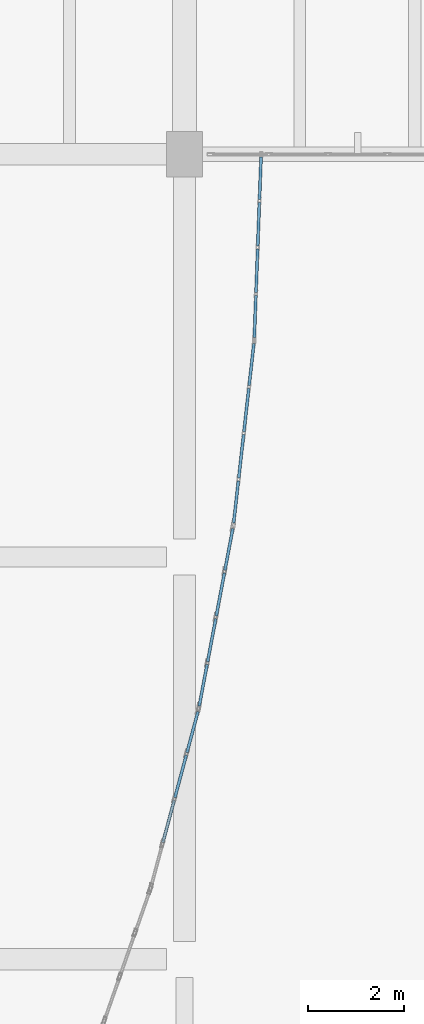
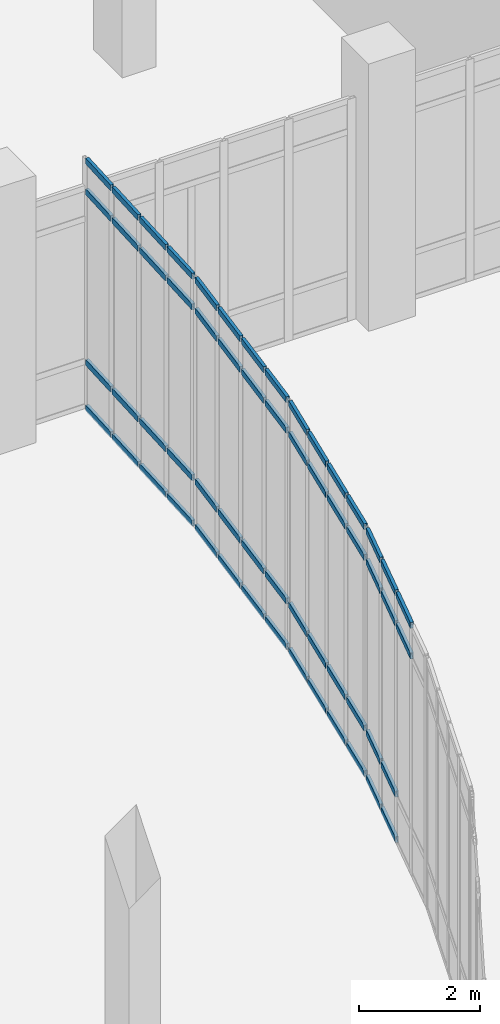
# One storey, part 72 of 110: 58 members, 4 elements without a shape of their own.
"""IFC4 building model written with IfcOpenShell, lengths in metres."""

from ifc_helpers import new_model, si_unit, direction, frame, origin, origin_2d, place, context, subcontext, project, spatial, hollow_rectangle, extrude, material, material_profile, profile_set, type_object, element, aggregate, save


model = new_model("IFC4")

# Units and contexts
model_context = context("Model", 3, precision=1e-05, world=origin(), true_north=direction((0.0, 1.0)))
body_context = subcontext(model_context, "Body", "Model", "MODEL_VIEW")
ifc_project = project(units=[si_unit("LENGTHUNIT", "METRE"), si_unit("AREAUNIT", "SQUARE_METRE"), si_unit("VOLUMEUNIT", "CUBIC_METRE"), si_unit("PLANEANGLEUNIT", "RADIAN"), si_unit("MASSUNIT", "GRAM", prefix="KILO")], contexts=[model_context])

# Site, building, storey
site_placement = place(None, origin())
site = spatial("IfcSite", under=ifc_project, at=site_placement, CompositionType="ELEMENT")
building_placement = place(site_placement, origin())
building = spatial("IfcBuilding", under=site, at=building_placement, Name="Kalluvel Institute of Natural Sciences", CompositionType="ELEMENT")
storey_placement = place(building_placement, origin())
storey = spatial("IfcBuildingStorey", under=building, at=storey_placement, Name="L00", CompositionType="ELEMENT", Elevation=0.0)

# Curtain wall, members
ifc_material = material(Name="Aluminium AW-6063 T6", Category="aluminium")
curtain_wall_type = type_object("IfcCurtainWallType", Name="CW-ATR-L00", PredefinedType="USERDEFINED", material=ifc_material)
curtain_wall_1_placement = place(storey_placement, origin())
curtain_wall_1 = element("IfcCurtainWall", 1, at=curtain_wall_1_placement, inside=storey, type_object=curtain_wall_type, Name="L00 Gothic lancet curtain wall CWA-L00-X853-Y875", ObjectType="UNITISED LANCET FACADE", PredefinedType="USERDEFINED")
ifc_material_profile = material_profile(ifc_material, hollow_rectangle(XDim=0.06005859375, YDim=0.1201171875, WallThickness=0.00390625, at=origin_2d()), Name="CWT 60x120")
ifc_profile_set = profile_set([ifc_material_profile], Name="Aluminium AW-6063 T6")
member_type = type_object("IfcMemberType", Name="CWT-60x120", PredefinedType="USERDEFINED", material=ifc_profile_set)
member_1_placement = place(storey_placement, frame((85.549072265625, 88.440673828125, 4.39990234375), z_axis=(0.259061584805, 0.965860805333, 0.0), x_axis=(-0.965860805333, 0.259061584805, 0.0)))
member_1 = element("IfcMember", 2, at=member_1_placement, type_object=member_type, Name="CW-06 transom 2.3", ObjectType="TRANSOM", PredefinedType="USERDEFINED", context=body_context, shape_type="SweptSolid", body=[
    extrude(hollow_rectangle(XDim=0.06005859375, YDim=0.1201171875, WallThickness=0.00390625, at=origin_2d()), origin(), (0.0, 0.0, 1.0), 0.912353515625),
])
member_2_placement = place(storey_placement, frame((85.549072265625, 88.440673828125, 5.02001953125), z_axis=(0.259061584805, 0.965860805333, 0.0), x_axis=(-0.965860805333, 0.259061584805, 0.0)))
member_2 = element("IfcMember", 3, at=member_2_placement, type_object=member_type, Name="CW-06 transom 2.4", ObjectType="TRANSOM", PredefinedType="USERDEFINED", context=body_context, shape_type="SweptSolid", body=[
    extrude(hollow_rectangle(XDim=0.06005859375, YDim=0.1201171875, WallThickness=0.00390625, at=origin_2d()), origin(), (0.0, 0.0, 1.0), 0.912353515625),
])
member_3_placement = place(storey_placement, frame((85.80078125, 89.3798828125, 0.030029296875), z_axis=(0.258811894374, 0.965927742293, 0.0), x_axis=(-0.965927742293, 0.258811894374, 0.0)))
member_3 = element("IfcMember", 4, at=member_3_placement, type_object=member_type, Name="CW-06 transom 3.1", ObjectType="TRANSOM", PredefinedType="USERDEFINED", context=body_context, shape_type="SweptSolid", body=[
    extrude(hollow_rectangle(XDim=0.06005859375, YDim=0.1201171875, WallThickness=0.00390625, at=origin_2d()), origin(), (0.0, 0.0, 1.0), 0.912109375),
])
member_4_placement = place(storey_placement, frame((85.80078125, 89.3798828125, 0.949951171875), z_axis=(0.258811894374, 0.965927742293, 0.0), x_axis=(-0.965927742293, 0.258811894374, 0.0)))
member_4 = element("IfcMember", 5, at=member_4_placement, type_object=member_type, Name="CW-06 transom 3.2", ObjectType="TRANSOM", PredefinedType="USERDEFINED", context=body_context, shape_type="SweptSolid", body=[
    extrude(hollow_rectangle(XDim=0.06005859375, YDim=0.1201171875, WallThickness=0.00390625, at=origin_2d()), origin(), (0.0, 0.0, 1.0), 0.912109375),
])
member_5_placement = place(storey_placement, frame((85.80078125, 89.3798828125, 4.39990234375), z_axis=(0.258811894374, 0.965927742293, 0.0), x_axis=(-0.965927742293, 0.258811894374, 0.0)))
member_5 = element("IfcMember", 6, at=member_5_placement, type_object=member_type, Name="CW-06 transom 3.3", ObjectType="TRANSOM", PredefinedType="USERDEFINED", context=body_context, shape_type="SweptSolid", body=[
    extrude(hollow_rectangle(XDim=0.06005859375, YDim=0.1201171875, WallThickness=0.00390625, at=origin_2d()), origin(), (0.0, 0.0, 1.0), 0.912109375),
])
member_6_placement = place(storey_placement, frame((85.80078125, 89.3798828125, 5.02001953125), z_axis=(0.258811894374, 0.965927742293, 0.0), x_axis=(-0.965927742293, 0.258811894374, 0.0)))
member_6 = element("IfcMember", 7, at=member_6_placement, type_object=member_type, Name="CW-06 transom 3.4", ObjectType="TRANSOM", PredefinedType="USERDEFINED", context=body_context, shape_type="SweptSolid", body=[
    extrude(hollow_rectangle(XDim=0.06005859375, YDim=0.1201171875, WallThickness=0.00390625, at=origin_2d()), origin(), (0.0, 0.0, 1.0), 0.912109375),
])
member_7_placement = place(storey_placement, frame((86.052490234375, 90.31884765625, 0.030029296875), z_axis=(0.258782199939, 0.965935698168, 0.0), x_axis=(-0.965935698168, 0.258782199939, 0.0)))
member_7 = element("IfcMember", 8, at=member_7_placement, type_object=member_type, Name="CW-06 transom 4.1", ObjectType="TRANSOM", PredefinedType="USERDEFINED", context=body_context, shape_type="SweptSolid", body=[
    extrude(hollow_rectangle(XDim=0.06005859375, YDim=0.1201171875, WallThickness=0.00390625, at=origin_2d()), origin(), (0.0, 0.0, 1.0), 0.882080078125),
])
member_8_placement = place(storey_placement, frame((86.052490234375, 90.31884765625, 0.949951171875), z_axis=(0.258782199939, 0.965935698168, 0.0), x_axis=(-0.965935698168, 0.258782199939, 0.0)))
member_8 = element("IfcMember", 9, at=member_8_placement, type_object=member_type, Name="CW-06 transom 4.2", ObjectType="TRANSOM", PredefinedType="USERDEFINED", context=body_context, shape_type="SweptSolid", body=[
    extrude(hollow_rectangle(XDim=0.06005859375, YDim=0.1201171875, WallThickness=0.00390625, at=origin_2d()), origin(), (0.0, 0.0, 1.0), 0.882080078125),
])
member_9_placement = place(storey_placement, frame((86.052490234375, 90.31884765625, 4.39990234375), z_axis=(0.258782199939, 0.965935698168, 0.0), x_axis=(-0.965935698168, 0.258782199939, 0.0)))
member_9 = element("IfcMember", 10, at=member_9_placement, type_object=member_type, Name="CW-06 transom 4.3", ObjectType="TRANSOM", PredefinedType="USERDEFINED", context=body_context, shape_type="SweptSolid", body=[
    extrude(hollow_rectangle(XDim=0.06005859375, YDim=0.1201171875, WallThickness=0.00390625, at=origin_2d()), origin(), (0.0, 0.0, 1.0), 0.882080078125),
])
member_10_placement = place(storey_placement, frame((86.052490234375, 90.31884765625, 5.02001953125), z_axis=(0.258782199939, 0.965935698168, 0.0), x_axis=(-0.965935698168, 0.258782199939, 0.0)))
member_10 = element("IfcMember", 11, at=member_10_placement, type_object=member_type, Name="CW-06 transom 4.4", ObjectType="TRANSOM", PredefinedType="USERDEFINED", context=body_context, shape_type="SweptSolid", body=[
    extrude(hollow_rectangle(XDim=0.06005859375, YDim=0.1201171875, WallThickness=0.00390625, at=origin_2d()), origin(), (0.0, 0.0, 1.0), 0.882080078125),
])
aggregate(curtain_wall_1, [member_1, member_2, member_3, member_4, member_5, member_6, member_7, member_8, member_9, member_10])

curtain_wall_2_placement = place(storey_placement, origin())
curtain_wall_2 = element("IfcCurtainWall", 12, at=curtain_wall_2_placement, inside=storey, type_object=curtain_wall_type, Name="L00 Gothic lancet curtain wall CWA-L00-X863-Y912", ObjectType="UNITISED LANCET FACADE", PredefinedType="USERDEFINED")
member_11_placement = place(storey_placement, frame((86.307373046875, 91.287841796875, 0.030029296875), z_axis=(0.185992773912, 0.982551112183, 0.0), x_axis=(-0.982551112183, 0.185992773912, 0.0)))
member_11 = element("IfcMember", 13, at=member_11_placement, type_object=member_type, Name="CW-06 transom 1.1", ObjectType="TRANSOM", PredefinedType="USERDEFINED", context=body_context, shape_type="SweptSolid", body=[
    extrude(hollow_rectangle(XDim=0.06005859375, YDim=0.1201171875, WallThickness=0.00390625, at=origin_2d()), origin(), (0.0, 0.0, 1.0), 0.882080078125),
])
member_12_placement = place(storey_placement, frame((86.307373046875, 91.287841796875, 0.949951171875), z_axis=(0.185992773912, 0.982551112183, 0.0), x_axis=(-0.982551112183, 0.185992773912, 0.0)))
member_12 = element("IfcMember", 14, at=member_12_placement, type_object=member_type, Name="CW-06 transom 1.2", ObjectType="TRANSOM", PredefinedType="USERDEFINED", context=body_context, shape_type="SweptSolid", body=[
    extrude(hollow_rectangle(XDim=0.06005859375, YDim=0.1201171875, WallThickness=0.00390625, at=origin_2d()), origin(), (0.0, 0.0, 1.0), 0.882080078125),
])
member_13_placement = place(storey_placement, frame((86.307373046875, 91.287841796875, 4.39990234375), z_axis=(0.185992773912, 0.982551112183, 0.0), x_axis=(-0.982551112183, 0.185992773912, 0.0)))
member_13 = element("IfcMember", 15, at=member_13_placement, type_object=member_type, Name="CW-06 transom 1.3", ObjectType="TRANSOM", PredefinedType="USERDEFINED", context=body_context, shape_type="SweptSolid", body=[
    extrude(hollow_rectangle(XDim=0.06005859375, YDim=0.1201171875, WallThickness=0.00390625, at=origin_2d()), origin(), (0.0, 0.0, 1.0), 0.882080078125),
])
member_14_placement = place(storey_placement, frame((86.307373046875, 91.287841796875, 5.02001953125), z_axis=(0.185992773912, 0.982551112183, 0.0), x_axis=(-0.982551112183, 0.185992773912, 0.0)))
member_14 = element("IfcMember", 16, at=member_14_placement, type_object=member_type, Name="CW-06 transom 1.4", ObjectType="TRANSOM", PredefinedType="USERDEFINED", context=body_context, shape_type="SweptSolid", body=[
    extrude(hollow_rectangle(XDim=0.06005859375, YDim=0.1201171875, WallThickness=0.00390625, at=origin_2d()), origin(), (0.0, 0.0, 1.0), 0.882080078125),
])
member_15_placement = place(storey_placement, frame((86.482666015625, 92.213623046875, 0.030029296875), z_axis=(0.185758966872, 0.982595342054, 0.0), x_axis=(-0.982595342054, 0.185758966872, 0.0)))
member_15 = element("IfcMember", 17, at=member_15_placement, type_object=member_type, Name="CW-06 transom 2.1", ObjectType="TRANSOM", PredefinedType="USERDEFINED", context=body_context, shape_type="SweptSolid", body=[
    extrude(hollow_rectangle(XDim=0.06005859375, YDim=0.1201171875, WallThickness=0.00390625, at=origin_2d()), origin(), (0.0, 0.0, 1.0), 0.912109375),
])
member_16_placement = place(storey_placement, frame((86.482666015625, 92.213623046875, 0.949951171875), z_axis=(0.185758966872, 0.982595342054, 0.0), x_axis=(-0.982595342054, 0.185758966872, 0.0)))
member_16 = element("IfcMember", 18, at=member_16_placement, type_object=member_type, Name="CW-06 transom 2.2", ObjectType="TRANSOM", PredefinedType="USERDEFINED", context=body_context, shape_type="SweptSolid", body=[
    extrude(hollow_rectangle(XDim=0.06005859375, YDim=0.1201171875, WallThickness=0.00390625, at=origin_2d()), origin(), (0.0, 0.0, 1.0), 0.912109375),
])
member_17_placement = place(storey_placement, frame((86.482666015625, 92.213623046875, 4.39990234375), z_axis=(0.185758966872, 0.982595342054, 0.0), x_axis=(-0.982595342054, 0.185758966872, 0.0)))
member_17 = element("IfcMember", 19, at=member_17_placement, type_object=member_type, Name="CW-06 transom 2.3", ObjectType="TRANSOM", PredefinedType="USERDEFINED", context=body_context, shape_type="SweptSolid", body=[
    extrude(hollow_rectangle(XDim=0.06005859375, YDim=0.1201171875, WallThickness=0.00390625, at=origin_2d()), origin(), (0.0, 0.0, 1.0), 0.912109375),
])
member_18_placement = place(storey_placement, frame((86.482666015625, 92.213623046875, 5.02001953125), z_axis=(0.185758966872, 0.982595342054, 0.0), x_axis=(-0.982595342054, 0.185758966872, 0.0)))
member_18 = element("IfcMember", 20, at=member_18_placement, type_object=member_type, Name="CW-06 transom 2.4", ObjectType="TRANSOM", PredefinedType="USERDEFINED", context=body_context, shape_type="SweptSolid", body=[
    extrude(hollow_rectangle(XDim=0.06005859375, YDim=0.1201171875, WallThickness=0.00390625, at=origin_2d()), origin(), (0.0, 0.0, 1.0), 0.912109375),
])
member_19_placement = place(storey_placement, frame((86.663330078125, 93.1689453125, 0.030029296875), z_axis=(0.18601737568, 0.982546454853, 0.0), x_axis=(-0.982546454853, 0.18601737568, 0.0)))
member_19 = element("IfcMember", 21, at=member_19_placement, type_object=member_type, Name="CW-06 transom 3.1", ObjectType="TRANSOM", PredefinedType="USERDEFINED", context=body_context, shape_type="SweptSolid", body=[
    extrude(hollow_rectangle(XDim=0.06005859375, YDim=0.1201171875, WallThickness=0.00390625, at=origin_2d()), origin(), (0.0, 0.0, 1.0), 0.912109375),
])
member_20_placement = place(storey_placement, frame((86.663330078125, 93.1689453125, 0.949951171875), z_axis=(0.18601737568, 0.982546454853, 0.0), x_axis=(-0.982546454853, 0.18601737568, 0.0)))
member_20 = element("IfcMember", 22, at=member_20_placement, type_object=member_type, Name="CW-06 transom 3.2", ObjectType="TRANSOM", PredefinedType="USERDEFINED", context=body_context, shape_type="SweptSolid", body=[
    extrude(hollow_rectangle(XDim=0.06005859375, YDim=0.1201171875, WallThickness=0.00390625, at=origin_2d()), origin(), (0.0, 0.0, 1.0), 0.912109375),
])
member_21_placement = place(storey_placement, frame((86.663330078125, 93.1689453125, 4.39990234375), z_axis=(0.18601737568, 0.982546454853, 0.0), x_axis=(-0.982546454853, 0.18601737568, 0.0)))
member_21 = element("IfcMember", 23, at=member_21_placement, type_object=member_type, Name="CW-06 transom 3.3", ObjectType="TRANSOM", PredefinedType="USERDEFINED", context=body_context, shape_type="SweptSolid", body=[
    extrude(hollow_rectangle(XDim=0.06005859375, YDim=0.1201171875, WallThickness=0.00390625, at=origin_2d()), origin(), (0.0, 0.0, 1.0), 0.912109375),
])
member_22_placement = place(storey_placement, frame((86.663330078125, 93.1689453125, 5.02001953125), z_axis=(0.18601737568, 0.982546454853, 0.0), x_axis=(-0.982546454853, 0.18601737568, 0.0)))
member_22 = element("IfcMember", 24, at=member_22_placement, type_object=member_type, Name="CW-06 transom 3.4", ObjectType="TRANSOM", PredefinedType="USERDEFINED", context=body_context, shape_type="SweptSolid", body=[
    extrude(hollow_rectangle(XDim=0.06005859375, YDim=0.1201171875, WallThickness=0.00390625, at=origin_2d()), origin(), (0.0, 0.0, 1.0), 0.912109375),
])
member_23_placement = place(storey_placement, frame((86.843994140625, 94.1240234375, 0.030029296875), z_axis=(0.18594220751, 0.982560682842, 0.0), x_axis=(-0.982560682842, 0.18594220751, 0.0)))
member_23 = element("IfcMember", 25, at=member_23_placement, type_object=member_type, Name="CW-06 transom 4.1", ObjectType="TRANSOM", PredefinedType="USERDEFINED", context=body_context, shape_type="SweptSolid", body=[
    extrude(hollow_rectangle(XDim=0.06005859375, YDim=0.1201171875, WallThickness=0.00390625, at=origin_2d()), origin(), (0.0, 0.0, 1.0), 0.88232421875),
])
member_24_placement = place(storey_placement, frame((86.843994140625, 94.1240234375, 0.949951171875), z_axis=(0.18594220751, 0.982560682842, 0.0), x_axis=(-0.982560682842, 0.18594220751, 0.0)))
member_24 = element("IfcMember", 26, at=member_24_placement, type_object=member_type, Name="CW-06 transom 4.2", ObjectType="TRANSOM", PredefinedType="USERDEFINED", context=body_context, shape_type="SweptSolid", body=[
    extrude(hollow_rectangle(XDim=0.06005859375, YDim=0.1201171875, WallThickness=0.00390625, at=origin_2d()), origin(), (0.0, 0.0, 1.0), 0.88232421875),
])
member_25_placement = place(storey_placement, frame((86.843994140625, 94.1240234375, 4.39990234375), z_axis=(0.18594220751, 0.982560682842, 0.0), x_axis=(-0.982560682842, 0.18594220751, 0.0)))
member_25 = element("IfcMember", 27, at=member_25_placement, type_object=member_type, Name="CW-06 transom 4.3", ObjectType="TRANSOM", PredefinedType="USERDEFINED", context=body_context, shape_type="SweptSolid", body=[
    extrude(hollow_rectangle(XDim=0.06005859375, YDim=0.1201171875, WallThickness=0.00390625, at=origin_2d()), origin(), (0.0, 0.0, 1.0), 0.88232421875),
])
member_26_placement = place(storey_placement, frame((86.843994140625, 94.1240234375, 5.02001953125), z_axis=(0.18594220751, 0.982560682842, 0.0), x_axis=(-0.982560682842, 0.18594220751, 0.0)))
member_26 = element("IfcMember", 28, at=member_26_placement, type_object=member_type, Name="CW-06 transom 4.4", ObjectType="TRANSOM", PredefinedType="USERDEFINED", context=body_context, shape_type="SweptSolid", body=[
    extrude(hollow_rectangle(XDim=0.06005859375, YDim=0.1201171875, WallThickness=0.00390625, at=origin_2d()), origin(), (0.0, 0.0, 1.0), 0.88232421875),
])
aggregate(curtain_wall_2, [member_11, member_12, member_13, member_14, member_15, member_16, member_17, member_18, member_19, member_20, member_21, member_22, member_23, member_24, member_25, member_26])

curtain_wall_3_placement = place(storey_placement, origin())
curtain_wall_3 = element("IfcCurtainWall", 29, at=curtain_wall_3_placement, inside=storey, type_object=curtain_wall_type, Name="L00 Gothic lancet curtain wall CWA-L00-X870-Y950", ObjectType="UNITISED LANCET FACADE", PredefinedType="USERDEFINED")
member_27_placement = place(storey_placement, frame((87.02587890625, 95.109375, 0.030029296875), z_axis=(0.112071445657, 0.993700151489, 0.0), x_axis=(-0.993700151489, 0.112071445657, 0.0)))
member_27 = element("IfcMember", 30, at=member_27_placement, type_object=member_type, Name="CW-06 transom 1.1", ObjectType="TRANSOM", PredefinedType="USERDEFINED", context=body_context, shape_type="SweptSolid", body=[
    extrude(hollow_rectangle(XDim=0.06005859375, YDim=0.1201171875, WallThickness=0.00390625, at=origin_2d()), origin(), (0.0, 0.0, 1.0), 0.88232421875),
])
member_28_placement = place(storey_placement, frame((87.02587890625, 95.109375, 0.949951171875), z_axis=(0.112071445657, 0.993700151489, 0.0), x_axis=(-0.993700151489, 0.112071445657, 0.0)))
member_28 = element("IfcMember", 31, at=member_28_placement, type_object=member_type, Name="CW-06 transom 1.2", ObjectType="TRANSOM", PredefinedType="USERDEFINED", context=body_context, shape_type="SweptSolid", body=[
    extrude(hollow_rectangle(XDim=0.06005859375, YDim=0.1201171875, WallThickness=0.00390625, at=origin_2d()), origin(), (0.0, 0.0, 1.0), 0.88232421875),
])
member_29_placement = place(storey_placement, frame((87.02587890625, 95.109375, 4.39990234375), z_axis=(0.112071445657, 0.993700151489, 0.0), x_axis=(-0.993700151489, 0.112071445657, 0.0)))
member_29 = element("IfcMember", 32, at=member_29_placement, type_object=member_type, Name="CW-06 transom 1.3", ObjectType="TRANSOM", PredefinedType="USERDEFINED", context=body_context, shape_type="SweptSolid", body=[
    extrude(hollow_rectangle(XDim=0.06005859375, YDim=0.1201171875, WallThickness=0.00390625, at=origin_2d()), origin(), (0.0, 0.0, 1.0), 0.88232421875),
])
member_30_placement = place(storey_placement, frame((87.02587890625, 95.109375, 5.02001953125), z_axis=(0.112071445657, 0.993700151489, 0.0), x_axis=(-0.993700151489, 0.112071445657, 0.0)))
member_30 = element("IfcMember", 33, at=member_30_placement, type_object=member_type, Name="CW-06 transom 1.4", ObjectType="TRANSOM", PredefinedType="USERDEFINED", context=body_context, shape_type="SweptSolid", body=[
    extrude(hollow_rectangle(XDim=0.06005859375, YDim=0.1201171875, WallThickness=0.00390625, at=origin_2d()), origin(), (0.0, 0.0, 1.0), 0.88232421875),
])
member_31_placement = place(storey_placement, frame((87.13134765625, 96.045654296875, 0.030029296875), z_axis=(0.11213502774, 0.993692978517, 0.0), x_axis=(-0.993692978517, 0.11213502774, 0.0)))
member_31 = element("IfcMember", 34, at=member_31_placement, type_object=member_type, Name="CW-06 transom 2.1", ObjectType="TRANSOM", PredefinedType="USERDEFINED", context=body_context, shape_type="SweptSolid", body=[
    extrude(hollow_rectangle(XDim=0.06005859375, YDim=0.1201171875, WallThickness=0.00390625, at=origin_2d()), origin(), (0.0, 0.0, 1.0), 0.912353515625),
])
member_32_placement = place(storey_placement, frame((87.13134765625, 96.045654296875, 0.949951171875), z_axis=(0.11213502774, 0.993692978517, 0.0), x_axis=(-0.993692978517, 0.11213502774, 0.0)))
member_32 = element("IfcMember", 35, at=member_32_placement, type_object=member_type, Name="CW-06 transom 2.2", ObjectType="TRANSOM", PredefinedType="USERDEFINED", context=body_context, shape_type="SweptSolid", body=[
    extrude(hollow_rectangle(XDim=0.06005859375, YDim=0.1201171875, WallThickness=0.00390625, at=origin_2d()), origin(), (0.0, 0.0, 1.0), 0.912353515625),
])
member_33_placement = place(storey_placement, frame((87.13134765625, 96.045654296875, 4.39990234375), z_axis=(0.11213502774, 0.993692978517, 0.0), x_axis=(-0.993692978517, 0.11213502774, 0.0)))
member_33 = element("IfcMember", 36, at=member_33_placement, type_object=member_type, Name="CW-06 transom 2.3", ObjectType="TRANSOM", PredefinedType="USERDEFINED", context=body_context, shape_type="SweptSolid", body=[
    extrude(hollow_rectangle(XDim=0.06005859375, YDim=0.1201171875, WallThickness=0.00390625, at=origin_2d()), origin(), (0.0, 0.0, 1.0), 0.912353515625),
])
member_34_placement = place(storey_placement, frame((87.13134765625, 96.045654296875, 5.02001953125), z_axis=(0.11213502774, 0.993692978517, 0.0), x_axis=(-0.993692978517, 0.11213502774, 0.0)))
member_34 = element("IfcMember", 37, at=member_34_placement, type_object=member_type, Name="CW-06 transom 2.4", ObjectType="TRANSOM", PredefinedType="USERDEFINED", context=body_context, shape_type="SweptSolid", body=[
    extrude(hollow_rectangle(XDim=0.06005859375, YDim=0.1201171875, WallThickness=0.00390625, at=origin_2d()), origin(), (0.0, 0.0, 1.0), 0.912353515625),
])
member_35_placement = place(storey_placement, frame((87.240234375, 97.01171875, 0.030029296875), z_axis=(0.111870755681, 0.993722765173, 0.0), x_axis=(-0.993722765173, 0.111870755681, 0.0)))
member_35 = element("IfcMember", 38, at=member_35_placement, type_object=member_type, Name="CW-06 transom 3.1", ObjectType="TRANSOM", PredefinedType="USERDEFINED", context=body_context, shape_type="SweptSolid", body=[
    extrude(hollow_rectangle(XDim=0.06005859375, YDim=0.1201171875, WallThickness=0.00390625, at=origin_2d()), origin(), (0.0, 0.0, 1.0), 0.912109375),
])
member_36_placement = place(storey_placement, frame((87.240234375, 97.01171875, 0.949951171875), z_axis=(0.111870755681, 0.993722765173, 0.0), x_axis=(-0.993722765173, 0.111870755681, 0.0)))
member_36 = element("IfcMember", 39, at=member_36_placement, type_object=member_type, Name="CW-06 transom 3.2", ObjectType="TRANSOM", PredefinedType="USERDEFINED", context=body_context, shape_type="SweptSolid", body=[
    extrude(hollow_rectangle(XDim=0.06005859375, YDim=0.1201171875, WallThickness=0.00390625, at=origin_2d()), origin(), (0.0, 0.0, 1.0), 0.912109375),
])
member_37_placement = place(storey_placement, frame((87.240234375, 97.01171875, 4.39990234375), z_axis=(0.111870755681, 0.993722765173, 0.0), x_axis=(-0.993722765173, 0.111870755681, 0.0)))
member_37 = element("IfcMember", 40, at=member_37_placement, type_object=member_type, Name="CW-06 transom 3.3", ObjectType="TRANSOM", PredefinedType="USERDEFINED", context=body_context, shape_type="SweptSolid", body=[
    extrude(hollow_rectangle(XDim=0.06005859375, YDim=0.1201171875, WallThickness=0.00390625, at=origin_2d()), origin(), (0.0, 0.0, 1.0), 0.912109375),
])
member_38_placement = place(storey_placement, frame((87.240234375, 97.01171875, 5.02001953125), z_axis=(0.111870755681, 0.993722765173, 0.0), x_axis=(-0.993722765173, 0.111870755681, 0.0)))
member_38 = element("IfcMember", 41, at=member_38_placement, type_object=member_type, Name="CW-06 transom 3.4", ObjectType="TRANSOM", PredefinedType="USERDEFINED", context=body_context, shape_type="SweptSolid", body=[
    extrude(hollow_rectangle(XDim=0.06005859375, YDim=0.1201171875, WallThickness=0.00390625, at=origin_2d()), origin(), (0.0, 0.0, 1.0), 0.912109375),
])
member_39_placement = place(storey_placement, frame((87.34912109375, 97.977783203125, 0.030029296875), z_axis=(0.112071445657, 0.993700151489, 0.0), x_axis=(-0.993700151489, 0.112071445657, 0.0)))
member_39 = element("IfcMember", 42, at=member_39_placement, type_object=member_type, Name="CW-06 transom 4.1", ObjectType="TRANSOM", PredefinedType="USERDEFINED", context=body_context, shape_type="SweptSolid", body=[
    extrude(hollow_rectangle(XDim=0.06005859375, YDim=0.1201171875, WallThickness=0.00390625, at=origin_2d()), origin(), (0.0, 0.0, 1.0), 0.88232421875),
])
member_40_placement = place(storey_placement, frame((87.34912109375, 97.977783203125, 0.949951171875), z_axis=(0.112071445657, 0.993700151489, 0.0), x_axis=(-0.993700151489, 0.112071445657, 0.0)))
member_40 = element("IfcMember", 43, at=member_40_placement, type_object=member_type, Name="CW-06 transom 4.2", ObjectType="TRANSOM", PredefinedType="USERDEFINED", context=body_context, shape_type="SweptSolid", body=[
    extrude(hollow_rectangle(XDim=0.06005859375, YDim=0.1201171875, WallThickness=0.00390625, at=origin_2d()), origin(), (0.0, 0.0, 1.0), 0.88232421875),
])
member_41_placement = place(storey_placement, frame((87.34912109375, 97.977783203125, 4.39990234375), z_axis=(0.112071445657, 0.993700151489, 0.0), x_axis=(-0.993700151489, 0.112071445657, 0.0)))
member_41 = element("IfcMember", 44, at=member_41_placement, type_object=member_type, Name="CW-06 transom 4.3", ObjectType="TRANSOM", PredefinedType="USERDEFINED", context=body_context, shape_type="SweptSolid", body=[
    extrude(hollow_rectangle(XDim=0.06005859375, YDim=0.1201171875, WallThickness=0.00390625, at=origin_2d()), origin(), (0.0, 0.0, 1.0), 0.88232421875),
])
member_42_placement = place(storey_placement, frame((87.34912109375, 97.977783203125, 5.02001953125), z_axis=(0.112071445657, 0.993700151489, 0.0), x_axis=(-0.993700151489, 0.112071445657, 0.0)))
member_42 = element("IfcMember", 45, at=member_42_placement, type_object=member_type, Name="CW-06 transom 4.4", ObjectType="TRANSOM", PredefinedType="USERDEFINED", context=body_context, shape_type="SweptSolid", body=[
    extrude(hollow_rectangle(XDim=0.06005859375, YDim=0.1201171875, WallThickness=0.00390625, at=origin_2d()), origin(), (0.0, 0.0, 1.0), 0.88232421875),
])
aggregate(curtain_wall_3, [member_27, member_28, member_29, member_30, member_31, member_32, member_33, member_34, member_35, member_36, member_37, member_38, member_39, member_40, member_41, member_42])

curtain_wall_4_placement = place(storey_placement, origin())
curtain_wall_4 = element("IfcCurtainWall", 46, at=curtain_wall_4_placement, inside=storey, type_object=curtain_wall_type, Name="L00 Gothic lancet curtain wall CWA-L00-X875-Y989", ObjectType="UNITISED LANCET FACADE", PredefinedType="USERDEFINED")
member_43_placement = place(storey_placement, frame((87.456787109375, 98.973876953125, 0.030029296875), z_axis=(0.037359666114, 0.999301883991, 0.0), x_axis=(-0.999301883991, 0.037359666114, 0.0)))
member_43 = element("IfcMember", 47, at=member_43_placement, type_object=member_type, Name="CW-06 transom 1.1", ObjectType="TRANSOM", PredefinedType="USERDEFINED", context=body_context, shape_type="SweptSolid", body=[
    extrude(hollow_rectangle(XDim=0.06005859375, YDim=0.1201171875, WallThickness=0.00390625, at=origin_2d()), origin(), (0.0, 0.0, 1.0), 0.88232421875),
])
member_44_placement = place(storey_placement, frame((87.456787109375, 98.973876953125, 0.949951171875), z_axis=(0.037359666114, 0.999301883991, 0.0), x_axis=(-0.999301883991, 0.037359666114, 0.0)))
member_44 = element("IfcMember", 48, at=member_44_placement, type_object=member_type, Name="CW-06 transom 1.2", ObjectType="TRANSOM", PredefinedType="USERDEFINED", context=body_context, shape_type="SweptSolid", body=[
    extrude(hollow_rectangle(XDim=0.06005859375, YDim=0.1201171875, WallThickness=0.00390625, at=origin_2d()), origin(), (0.0, 0.0, 1.0), 0.88232421875),
])
member_45_placement = place(storey_placement, frame((87.456787109375, 98.973876953125, 4.39990234375), z_axis=(0.037359666114, 0.999301883991, 0.0), x_axis=(-0.999301883991, 0.037359666114, 0.0)))
member_45 = element("IfcMember", 49, at=member_45_placement, type_object=member_type, Name="CW-06 transom 1.3", ObjectType="TRANSOM", PredefinedType="USERDEFINED", context=body_context, shape_type="SweptSolid", body=[
    extrude(hollow_rectangle(XDim=0.06005859375, YDim=0.1201171875, WallThickness=0.00390625, at=origin_2d()), origin(), (0.0, 0.0, 1.0), 0.88232421875),
])
member_46_placement = place(storey_placement, frame((87.456787109375, 98.973876953125, 5.02001953125), z_axis=(0.037359666114, 0.999301883991, 0.0), x_axis=(-0.999301883991, 0.037359666114, 0.0)))
member_46 = element("IfcMember", 50, at=member_46_placement, type_object=member_type, Name="CW-06 transom 1.4", ObjectType="TRANSOM", PredefinedType="USERDEFINED", context=body_context, shape_type="SweptSolid", body=[
    extrude(hollow_rectangle(XDim=0.06005859375, YDim=0.1201171875, WallThickness=0.00390625, at=origin_2d()), origin(), (0.0, 0.0, 1.0), 0.88232421875),
])
member_47_placement = place(storey_placement, frame((87.4921875, 99.91552734375, 0.030029296875), z_axis=(0.037209681147, 0.999307480022, 0.0), x_axis=(-0.999307480022, 0.037209681147, 0.0)))
member_47 = element("IfcMember", 51, at=member_47_placement, type_object=member_type, Name="CW-06 transom 2.1", ObjectType="TRANSOM", PredefinedType="USERDEFINED", context=body_context, shape_type="SweptSolid", body=[
    extrude(hollow_rectangle(XDim=0.06005859375, YDim=0.1201171875, WallThickness=0.00390625, at=origin_2d()), origin(), (0.0, 0.0, 1.0), 0.912109375),
])
member_48_placement = place(storey_placement, frame((87.4921875, 99.91552734375, 0.949951171875), z_axis=(0.037209681147, 0.999307480022, 0.0), x_axis=(-0.999307480022, 0.037209681147, 0.0)))
member_48 = element("IfcMember", 52, at=member_48_placement, type_object=member_type, Name="CW-06 transom 2.2", ObjectType="TRANSOM", PredefinedType="USERDEFINED", context=body_context, shape_type="SweptSolid", body=[
    extrude(hollow_rectangle(XDim=0.06005859375, YDim=0.1201171875, WallThickness=0.00390625, at=origin_2d()), origin(), (0.0, 0.0, 1.0), 0.912109375),
])
member_49_placement = place(storey_placement, frame((87.4921875, 99.91552734375, 4.39990234375), z_axis=(0.037209681147, 0.999307480022, 0.0), x_axis=(-0.999307480022, 0.037209681147, 0.0)))
member_49 = element("IfcMember", 53, at=member_49_placement, type_object=member_type, Name="CW-06 transom 2.3", ObjectType="TRANSOM", PredefinedType="USERDEFINED", context=body_context, shape_type="SweptSolid", body=[
    extrude(hollow_rectangle(XDim=0.06005859375, YDim=0.1201171875, WallThickness=0.00390625, at=origin_2d()), origin(), (0.0, 0.0, 1.0), 0.912109375),
])
member_50_placement = place(storey_placement, frame((87.4921875, 99.91552734375, 5.02001953125), z_axis=(0.037209681147, 0.999307480022, 0.0), x_axis=(-0.999307480022, 0.037209681147, 0.0)))
member_50 = element("IfcMember", 54, at=member_50_placement, type_object=member_type, Name="CW-06 transom 2.4", ObjectType="TRANSOM", PredefinedType="USERDEFINED", context=body_context, shape_type="SweptSolid", body=[
    extrude(hollow_rectangle(XDim=0.06005859375, YDim=0.1201171875, WallThickness=0.00390625, at=origin_2d()), origin(), (0.0, 0.0, 1.0), 0.912109375),
])
member_51_placement = place(storey_placement, frame((87.5283203125, 100.886962890625, 0.030029296875), z_axis=(0.037466979452, 0.999297866229, 0.0), x_axis=(-0.999297866229, 0.037466979452, 0.0)))
member_51 = element("IfcMember", 55, at=member_51_placement, type_object=member_type, Name="CW-06 transom 3.1", ObjectType="TRANSOM", PredefinedType="USERDEFINED", context=body_context, shape_type="SweptSolid", body=[
    extrude(hollow_rectangle(XDim=0.06005859375, YDim=0.1201171875, WallThickness=0.00390625, at=origin_2d()), origin(), (0.0, 0.0, 1.0), 0.912353515625),
])
member_52_placement = place(storey_placement, frame((87.5283203125, 100.886962890625, 0.949951171875), z_axis=(0.037466979452, 0.999297866229, 0.0), x_axis=(-0.999297866229, 0.037466979452, 0.0)))
member_52 = element("IfcMember", 56, at=member_52_placement, type_object=member_type, Name="CW-06 transom 3.2", ObjectType="TRANSOM", PredefinedType="USERDEFINED", context=body_context, shape_type="SweptSolid", body=[
    extrude(hollow_rectangle(XDim=0.06005859375, YDim=0.1201171875, WallThickness=0.00390625, at=origin_2d()), origin(), (0.0, 0.0, 1.0), 0.912353515625),
])
member_53_placement = place(storey_placement, frame((87.5283203125, 100.886962890625, 4.39990234375), z_axis=(0.037466979452, 0.999297866229, 0.0), x_axis=(-0.999297866229, 0.037466979452, 0.0)))
member_53 = element("IfcMember", 57, at=member_53_placement, type_object=member_type, Name="CW-06 transom 3.3", ObjectType="TRANSOM", PredefinedType="USERDEFINED", context=body_context, shape_type="SweptSolid", body=[
    extrude(hollow_rectangle(XDim=0.06005859375, YDim=0.1201171875, WallThickness=0.00390625, at=origin_2d()), origin(), (0.0, 0.0, 1.0), 0.912353515625),
])
member_54_placement = place(storey_placement, frame((87.5283203125, 100.886962890625, 5.02001953125), z_axis=(0.037466979452, 0.999297866229, 0.0), x_axis=(-0.999297866229, 0.037466979452, 0.0)))
member_54 = element("IfcMember", 58, at=member_54_placement, type_object=member_type, Name="CW-06 transom 3.4", ObjectType="TRANSOM", PredefinedType="USERDEFINED", context=body_context, shape_type="SweptSolid", body=[
    extrude(hollow_rectangle(XDim=0.06005859375, YDim=0.1201171875, WallThickness=0.00390625, at=origin_2d()), origin(), (0.0, 0.0, 1.0), 0.912353515625),
])
member_55_placement = place(storey_placement, frame((87.564697265625, 101.8583984375, 0.030029296875), z_axis=(0.037359666114, 0.999301883991, 0.0), x_axis=(-0.999301883991, 0.037359666114, 0.0)))
member_55 = element("IfcMember", 59, at=member_55_placement, type_object=member_type, Name="CW-06 transom 4.1", ObjectType="TRANSOM", PredefinedType="USERDEFINED", context=body_context, shape_type="SweptSolid", body=[
    extrude(hollow_rectangle(XDim=0.06005859375, YDim=0.1201171875, WallThickness=0.00390625, at=origin_2d()), origin(), (0.0, 0.0, 1.0), 0.88232421875),
])
member_56_placement = place(storey_placement, frame((87.564697265625, 101.8583984375, 0.949951171875), z_axis=(0.037359666114, 0.999301883991, 0.0), x_axis=(-0.999301883991, 0.037359666114, 0.0)))
member_56 = element("IfcMember", 60, at=member_56_placement, type_object=member_type, Name="CW-06 transom 4.2", ObjectType="TRANSOM", PredefinedType="USERDEFINED", context=body_context, shape_type="SweptSolid", body=[
    extrude(hollow_rectangle(XDim=0.06005859375, YDim=0.1201171875, WallThickness=0.00390625, at=origin_2d()), origin(), (0.0, 0.0, 1.0), 0.88232421875),
])
member_57_placement = place(storey_placement, frame((87.564697265625, 101.8583984375, 4.39990234375), z_axis=(0.037359666114, 0.999301883991, 0.0), x_axis=(-0.999301883991, 0.037359666114, 0.0)))
member_57 = element("IfcMember", 61, at=member_57_placement, type_object=member_type, Name="CW-06 transom 4.3", ObjectType="TRANSOM", PredefinedType="USERDEFINED", context=body_context, shape_type="SweptSolid", body=[
    extrude(hollow_rectangle(XDim=0.06005859375, YDim=0.1201171875, WallThickness=0.00390625, at=origin_2d()), origin(), (0.0, 0.0, 1.0), 0.88232421875),
])
member_58_placement = place(storey_placement, frame((87.564697265625, 101.8583984375, 5.02001953125), z_axis=(0.037359666114, 0.999301883991, 0.0), x_axis=(-0.999301883991, 0.037359666114, 0.0)))
member_58 = element("IfcMember", 62, at=member_58_placement, type_object=member_type, Name="CW-06 transom 4.4", ObjectType="TRANSOM", PredefinedType="USERDEFINED", context=body_context, shape_type="SweptSolid", body=[
    extrude(hollow_rectangle(XDim=0.06005859375, YDim=0.1201171875, WallThickness=0.00390625, at=origin_2d()), origin(), (0.0, 0.0, 1.0), 0.88232421875),
])
aggregate(curtain_wall_4, [member_43, member_44, member_45, member_46, member_47, member_48, member_49, member_50, member_51, member_52, member_53, member_54, member_55, member_56, member_57, member_58])

save(model, "model.ifc")
